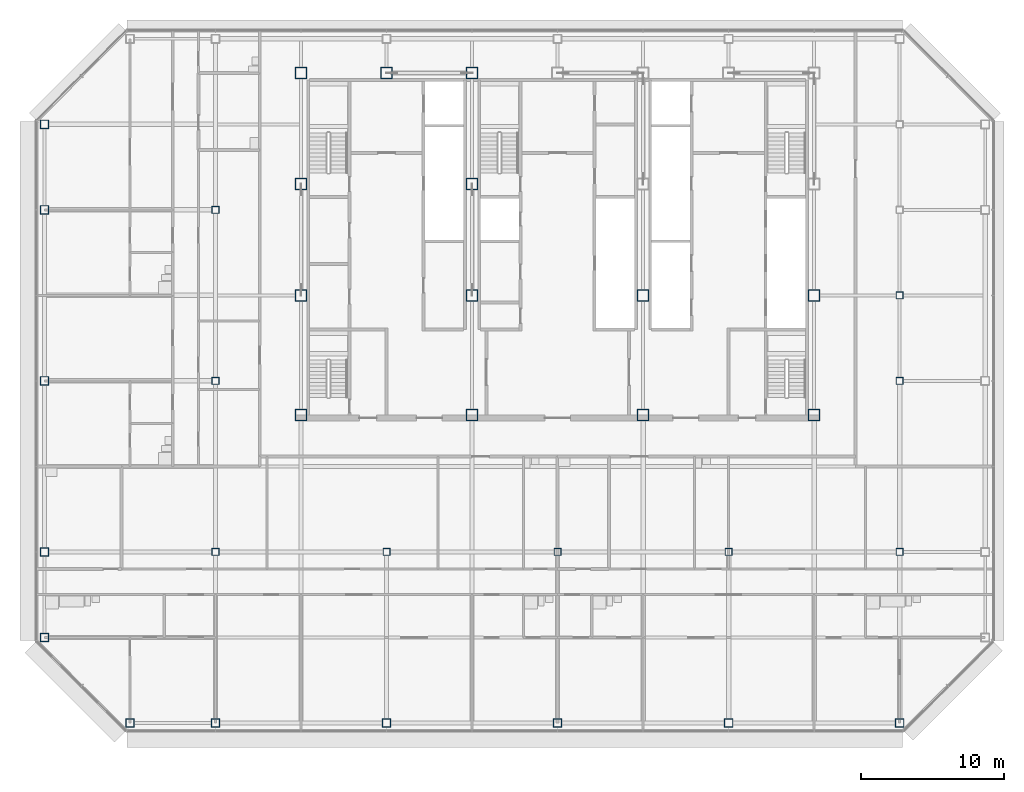
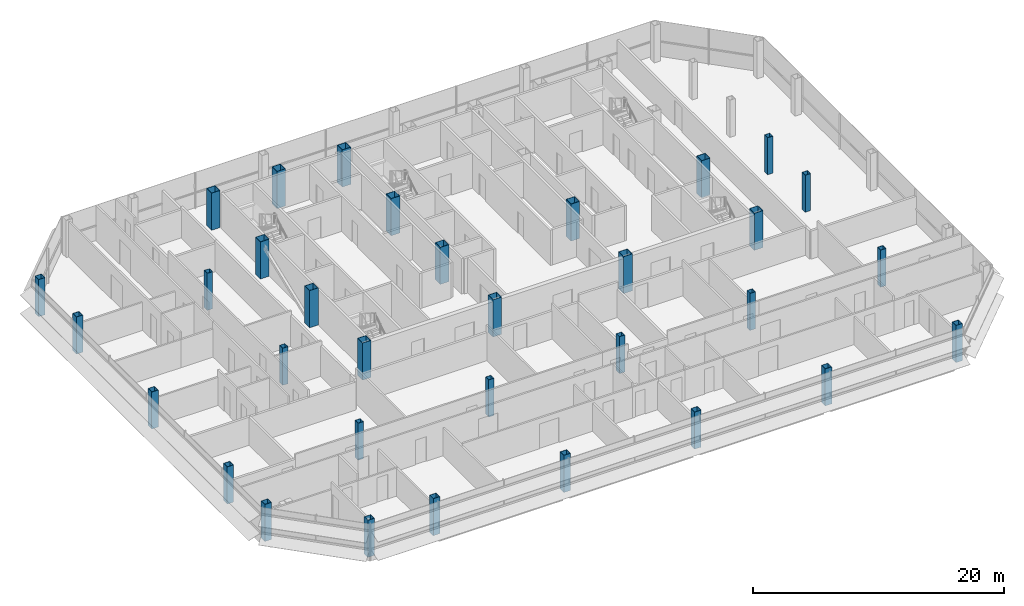
# One storey, part 1 of 28: 33 columns.
"""IFC4 building model written with IfcOpenShell, lengths in metres."""

from ifc_helpers import new_model, si_unit, direction, frame, origin, origin_2d, place, context, subcontext, project, spatial, hollow_rectangle, extrude, material, material_profile, profile_set, type_object, element, save


model = new_model("IFC4")

# Units and contexts
model_context = context("Model", 3, precision=1e-05, world=origin(), true_north=direction((0.0, 1.0)))
body_context = subcontext(model_context, "Body", "Model", "MODEL_VIEW")
ifc_project = project(units=[si_unit("LENGTHUNIT", "METRE"), si_unit("AREAUNIT", "SQUARE_METRE"), si_unit("VOLUMEUNIT", "CUBIC_METRE"), si_unit("PLANEANGLEUNIT", "RADIAN"), si_unit("MASSUNIT", "GRAM", prefix="KILO")], contexts=[model_context])

# Site, building, storey
site_placement = place(None, origin())
site = spatial("IfcSite", under=ifc_project, at=site_placement, CompositionType="ELEMENT")
building_placement = place(site_placement, origin())
building = spatial("IfcBuilding", under=site, at=building_placement, Name="Sorahane Residences", CompositionType="ELEMENT")
storey_placement = place(building_placement, frame((0.0, 0.0, 270.199951171875)))
storey = spatial("IfcBuildingStorey", under=building, at=storey_placement, Name="L64", CompositionType="ELEMENT", Elevation=270.199951171875)

# Columns
ifc_material_1 = material(Name="Steel Q355B", Category="steel")
ifc_material_profile_1 = material_profile(ifc_material_1, hollow_rectangle(XDim=0.5, YDim=0.5, WallThickness=0.02490234375, at=origin_2d()), Name="BOX 500x500x25")
ifc_profile_set_1 = profile_set([ifc_material_profile_1], Name="Steel Q355B")
column_type_1 = type_object("IfcColumnType", Name="Steel box column BOX 500x500x25 Q355B", PredefinedType="COLUMN", material=ifc_profile_set_1)
for number, where, z_axis, x_axis, name in (
    (1, (0.0, 12.0, 0.0), (0.0, 0.0, 1.0), (1.0, 0.0, 0.0), "Column L64 0/12"),
    (2, (0.0, 24.0, 0.0), (0.0, 0.0, 1.0), (1.0, 0.0, 0.0), "Column L64 0/24"),
    (3, (0.0, 36.0, 0.0), (0.0, 0.0, 1.0), (1.0, 0.0, 0.0), "Column L64 0/36"),
    (4, (12.0, 12.0, 0.0), (0.0, 0.0, 1.0), (1.0, 0.0, 0.0), "Column L64 12/12"),
    (5, (24.0, 12.0, 0.0), (0.0, 0.0, 1.0), (1.0, 0.0, 0.0), "Column L64 24/12"),
    (6, (36.0, 12.0, 0.0), (0.0, 0.0, 1.0), (1.0, 0.0, 0.0), "Column L64 36/12"),
    (7, (48.0, 12.0, 0.0), (0.0, 0.0, 1.0), (1.0, 0.0, 0.0), "Column L64 48/12"),
    (8, (48.0, 24.0, 0.0), (0.0, 0.0, 1.0), (1.0, 0.0, 0.0), "Column L64 48/24"),
    (9, (48.0, 30.0, 0.0), (0.0, 0.0, 1.0), (1.0, 0.0, 0.0), "Column L64 48/30"),
):
    element("IfcColumn", number, at=place(storey_placement, frame(where, z_axis=z_axis, x_axis=x_axis)), inside=storey, type_object=column_type_1, Name=name, PredefinedType="COLUMN", context=body_context, shape_type="SweptSolid", body=[
        extrude(hollow_rectangle(XDim=0.5, YDim=0.5, WallThickness=0.02490234375, at=origin_2d()), origin(), (0.0, 0.0, 1.0), 3.60009765625),
    ])
ifc_material_2 = material(Name="Steel Q355B", Category="steel")
ifc_material_profile_2 = material_profile(ifc_material_2, hollow_rectangle(XDim=0.60009765625, YDim=0.60009765625, WallThickness=0.028076171875, at=origin_2d()), Name="BOX 600x600x28")
ifc_profile_set_2 = profile_set([ifc_material_profile_2], Name="Steel Q355B")
column_type_2 = type_object("IfcColumnType", Name="Steel box column BOX 600x600x28 Q355B", PredefinedType="COLUMN", material=ifc_profile_set_2)
for number, where, z_axis, x_axis, name in (
    (10, (-12.0, 6.0, 0.0), (0.0, 0.0, 1.0), (1.0, 0.0, 0.0), "Column L64 m12/6"),
    (11, (-12.0, 12.0, 0.0), (0.0, 0.0, 1.0), (1.0, 0.0, 0.0), "Column L64 m12/12"),
    (12, (-12.0, 24.0, 0.0), (0.0, 0.0, 1.0), (1.0, 0.0, 0.0), "Column L64 m12/24"),
    (13, (-12.0, 36.0, 0.0), (0.0, 0.0, 1.0), (1.0, 0.0, 0.0), "Column L64 m12/36"),
    (14, (-12.0, 42.0, 0.0), (0.0, 0.0, 1.0), (1.0, 0.0, 0.0), "Column L64 m12/42"),
    (15, (-6.0, 0.0, 0.0), (0.0, 0.0, 1.0), (1.0, 0.0, 0.0), "Column L64 m6/0"),
    (16, (0.0, 0.0, 0.0), (0.0, 0.0, 1.0), (1.0, 0.0, 0.0), "Column L64 0/0"),
    (17, (12.0, 0.0, 0.0), (0.0, 0.0, 1.0), (1.0, 0.0, 0.0), "Column L64 12/0"),
    (18, (24.0, 0.0, 0.0), (0.0, 0.0, 1.0), (1.0, 0.0, 0.0), "Column L64 24/0"),
    (19, (36.0, 0.0, 0.0), (0.0, 0.0, 1.0), (1.0, 0.0, 0.0), "Column L64 36/0"),
    (20, (48.0, 0.0, 0.0), (0.0, 0.0, 1.0), (1.0, 0.0, 0.0), "Column L64 48/0"),
):
    element("IfcColumn", number, at=place(storey_placement, frame(where, z_axis=z_axis, x_axis=x_axis)), inside=storey, type_object=column_type_2, Name=name, PredefinedType="COLUMN", context=body_context, shape_type="SweptSolid", body=[
        extrude(hollow_rectangle(XDim=0.60009765625, YDim=0.60009765625, WallThickness=0.028076171875, at=origin_2d()), origin(), (0.0, 0.0, 1.0), 3.60009765625),
    ])
ifc_material_3 = material(Name="Steel Q355B", Category="steel")
ifc_material_profile_3 = material_profile(ifc_material_3, hollow_rectangle(XDim=0.800048828125, YDim=0.800048828125, WallThickness=0.031982421875, at=origin_2d()), Name="BOX 800x800x32")
ifc_profile_set_3 = profile_set([ifc_material_profile_3], Name="Steel Q355B")
column_type_3 = type_object("IfcColumnType", Name="Steel box column BOX 800x800x32 Q355B", PredefinedType="COLUMN", material=ifc_profile_set_3)
for number, where, z_axis, x_axis, name in (
    (21, (6.0, 21.60009765625, 0.0), (0.0, 0.0, 1.0), (1.0, 0.0, 0.0), "Column L64 6/21.6"),
    (22, (6.0, 30.0, 0.0), (0.0, 0.0, 1.0), (1.0, 0.0, 0.0), "Column L64 6/30"),
    (23, (6.0, 37.800048828125, 0.0), (0.0, 0.0, 1.0), (1.0, 0.0, 0.0), "Column L64 6/37.8"),
    (24, (6.0, 45.60009765625, 0.0), (0.0, 0.0, 1.0), (1.0, 0.0, 0.0), "Column L64 6/45.6"),
    (25, (12.0, 45.60009765625, 0.0), (0.0, 0.0, 1.0), (1.0, 0.0, 0.0), "Column L64 12/45.6"),
    (26, (18.0, 21.60009765625, 0.0), (0.0, 0.0, 1.0), (1.0, 0.0, 0.0), "Column L64 18/21.6"),
    (27, (18.0, 30.0, 0.0), (0.0, 0.0, 1.0), (1.0, 0.0, 0.0), "Column L64 18/30"),
    (28, (18.0, 37.800048828125, 0.0), (0.0, 0.0, 1.0), (1.0, 0.0, 0.0), "Column L64 18/37.8"),
    (29, (18.0, 45.60009765625, 0.0), (0.0, 0.0, 1.0), (1.0, 0.0, 0.0), "Column L64 18/45.6"),
    (30, (30.0, 21.60009765625, 0.0), (0.0, 0.0, 1.0), (1.0, 0.0, 0.0), "Column L64 30/21.6"),
    (31, (30.0, 30.0, 0.0), (0.0, 0.0, 1.0), (1.0, 0.0, 0.0), "Column L64 30/30"),
    (32, (42.0, 21.60009765625, 0.0), (0.0, 0.0, 1.0), (1.0, 0.0, 0.0), "Column L64 42/21.6"),
    (33, (42.0, 30.0, 0.0), (0.0, 0.0, 1.0), (1.0, 0.0, 0.0), "Column L64 42/30"),
):
    element("IfcColumn", number, at=place(storey_placement, frame(where, z_axis=z_axis, x_axis=x_axis)), inside=storey, type_object=column_type_3, Name=name, PredefinedType="COLUMN", context=body_context, shape_type="SweptSolid", body=[
        extrude(hollow_rectangle(XDim=0.800048828125, YDim=0.800048828125, WallThickness=0.031982421875, at=origin_2d()), origin(), (0.0, 0.0, 1.0), 3.60009765625),
    ])

save(model, "model.ifc")
